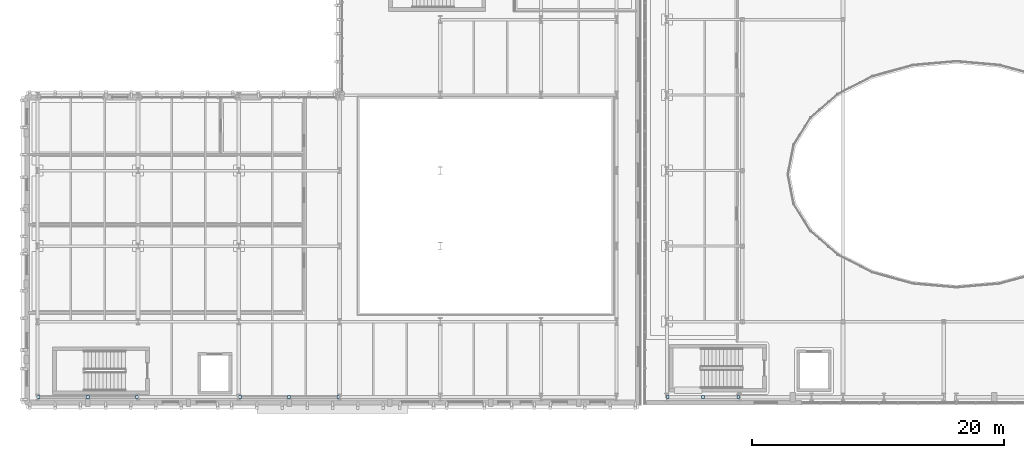
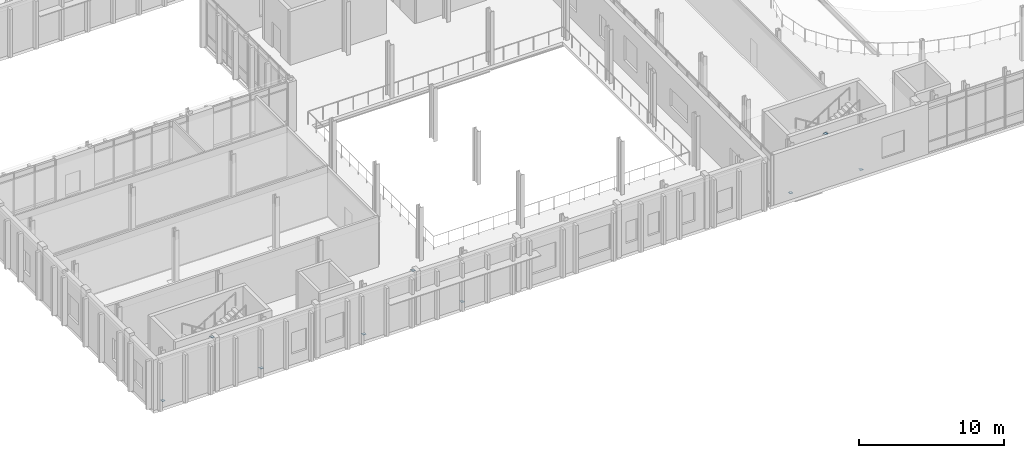
# One storey, part 60 of 100: 9 plates.
"""IFC4 building model written with IfcOpenShell, lengths in metres."""

import ifcopenshell
import ifcopenshell.guid

model = None  # the IFC model being written
_history = None  # IfcOwnerHistory: only IFC2X3 demands one
_inside = {}  # id of a spatial element -> (the spatial element, [elements in it])
_under = {}  # id of a project, library or spatial element -> (it, [spatial elements below it])
_declared = {}  # id of a project -> (the project, [libraries it declares])
_typed = {}  # id of a type object -> (the type object, [elements of that type])
_made_of = {}  # id of a material, layer set ... -> (it, [elements and type objects made of it])


def new_model(schema):
    """Start an empty IFC model of exactly this schema.

    Asked for "IFC4X3", IfcOpenShell would pick the latest addendum, in which some entities
    have other attributes; the version numbers below select the first issue.
    IFC2X3 requires an IfcOwnerHistory on every rooted entity: one is made here for all.
    """
    global model, _history
    if schema == "IFC4X3":
        model = ifcopenshell.file(schema_version=(4, 3, 0, 0))
    else:
        model = ifcopenshell.file(schema=schema)
    _inside.clear()
    _under.clear()
    _declared.clear()
    _typed.clear()
    _made_of.clear()
    _history = None
    if model.schema == "IFC2X3":
        org = make("IfcOrganization", Name="unknown")
        user = make(
            "IfcPersonAndOrganization",
            ThePerson=make("IfcPerson", FamilyName="unknown"),
            TheOrganization=org,
        )
        app = make(
            "IfcApplication",
            ApplicationDeveloper=org,
            Version="unknown",
            ApplicationFullName="unknown",
            ApplicationIdentifier="unknown",
        )
        _history = make(
            "IfcOwnerHistory",
            OwningUser=user,
            OwningApplication=app,
            ChangeAction="ADDED",
            CreationDate=0,
        )
    return model


def make(cls, **values):
    """One entity of the class cls with the attributes given. An attribute that is None is left unset."""
    return model.create_entity(
        cls, **{name: value for name, value in values.items() if value is not None}
    )


def rooted(cls, **values):
    """An entity with a GlobalId (a new one), such as an element, a storey or a relation."""
    return make(cls, GlobalId=ifcopenshell.guid.new(), OwnerHistory=_history, **values)


def si_unit(unit_type, name, prefix=None):
    """IfcSIUnit, for example si_unit("LENGTHUNIT", "METRE", prefix="MILLI")."""
    return make("IfcSIUnit", UnitType=unit_type, Prefix=prefix, Name=name)


def assignment(units):
    """IfcUnitAssignment: the units of a project."""
    return None if units is None else make("IfcUnitAssignment", Units=units)


def point(xyz):
    """IfcCartesianPoint."""
    return None if xyz is None else make("IfcCartesianPoint", Coordinates=xyz)


def direction(xyz):
    """IfcDirection."""
    return None if xyz is None else make("IfcDirection", DirectionRatios=xyz)


def frame(location, z_axis=None, x_axis=None):
    """IfcAxis2Placement3D, a coordinate frame: its origin and axes. An axis left out is left unset."""
    return make(
        "IfcAxis2Placement3D",
        Location=point(location),
        Axis=direction(z_axis),
        RefDirection=direction(x_axis),
    )


def frame_2d(location, x_axis=None):
    """IfcAxis2Placement2D, a coordinate frame in the plane: its origin and x axis."""
    return make(
        "IfcAxis2Placement2D", Location=point(location), RefDirection=direction(x_axis)
    )


def origin():
    """The frame at (0, 0, 0) with its axes left unset."""
    return frame((0.0, 0.0, 0.0))


def origin_2d():
    """The frame at (0, 0) in the plane with its x axis left unset."""
    return frame_2d((0.0, 0.0))


def place(relative_to, where):
    """IfcLocalPlacement: puts the frame where relative to a parent placement (None: the world)."""
    return make(
        "IfcLocalPlacement", PlacementRelTo=relative_to, RelativePlacement=where
    )


def context(
    kind, dimensions, precision=None, world=None, true_north=None, identifier=None
):
    """IfcGeometricRepresentationContext, for example the 3D "Model" context."""
    return make(
        "IfcGeometricRepresentationContext",
        ContextIdentifier=identifier,
        ContextType=kind,
        CoordinateSpaceDimension=dimensions,
        Precision=precision,
        WorldCoordinateSystem=world,
        TrueNorth=true_north,
    )


def subcontext(parent, identifier, kind, view, scale=None):
    """IfcGeometricRepresentationSubContext, for example "Body" below "Model"."""
    return make(
        "IfcGeometricRepresentationSubContext",
        ContextIdentifier=identifier,
        ContextType=kind,
        ParentContext=parent,
        TargetScale=scale,
        TargetView=view,
    )


def project(units=None, contexts=None):
    """IfcProject with its units and contexts."""
    return rooted(
        "IfcProject",
        Name="project",
        RepresentationContexts=contexts,
        UnitsInContext=assignment(units),
    )


def spatial(cls, under=None, at=None, **own):
    """A site, building, storey or space (cls), placed at a placement, below another one or the project."""
    s = rooted(cls, ObjectPlacement=at, **own)
    if under is not None:
        _under.setdefault(under.id(), (under, []))[1].append(s)
    return s


def profile(cls, at=None, kind="AREA", **sizes):
    """A parametric profile (cls). Its sizes go by their IFC names, for example OverallWidth=200.0."""
    return make(cls, ProfileType=kind, Position=at, **sizes)


def rectangle(**sizes):
    """IfcRectangleProfileDef."""
    return profile("IfcRectangleProfileDef", **sizes)


def extrude(swept, where, along, depth):
    """IfcExtrudedAreaSolid: the profile swept, set in the frame where, extruded along a direction by depth."""
    return make(
        "IfcExtrudedAreaSolid",
        SweptArea=swept,
        Position=where,
        ExtrudedDirection=direction(along),
        Depth=depth,
    )


def shape(context_of_items, identifier, shape_type, items):
    """IfcShapeRepresentation: the items that make up one representation, for example the "Body"."""
    return make(
        "IfcShapeRepresentation",
        ContextOfItems=context_of_items,
        RepresentationIdentifier=identifier,
        RepresentationType=shape_type,
        Items=items,
    )


def material(Name=None, Category=None):
    """IfcMaterial."""
    return make("IfcMaterial", Name=Name, Category=Category)


def layer(
    of_material, thickness, ventilated=None, Name=None, Category=None, Priority=None
):
    """IfcMaterialLayer: one layer of a wall or slab, of a material (None: an air gap)."""
    return make(
        "IfcMaterialLayer",
        Material=of_material,
        LayerThickness=thickness,
        IsVentilated=ventilated,
        Name=Name,
        Category=Category,
        Priority=Priority,
    )


def layer_set(layers, Name=None):
    """IfcMaterialLayerSet."""
    return make("IfcMaterialLayerSet", MaterialLayers=layers, LayerSetName=Name)


def made_of(thing, what):
    """Note that an element or type object is made of a material, layer set ...; save() writes the relation."""
    if what is not None:
        _made_of.setdefault(what.id(), (what, []))[1].append(thing)
    return thing


def type_object(cls, material=None, **own):
    """A type object (cls), such as IfcWallType, which elements share."""
    return made_of(rooted(cls, **own), material)


def element(
    cls,
    number,
    at=None,
    inside=None,
    cuts=None,
    type_object=None,
    material=None,
    context=None,
    identifier="Body",
    shape_type=None,
    held_by="IfcProductDefinitionShape",
    body=None,
    shapes=None,
    **own,
):
    """One element of the class cls, such as IfcWall. Its Tag is "e" and its number.

    at: its placement. inside: the storey or other place that contains it. cuts: it is an
    opening in that element (IfcRelVoidsElement). A single representation is given by context,
    identifier, shape_type and body (its items); several are given by shapes. held_by: the class
    of the entity that holds the representations. save() writes the other relations.
    """
    e = rooted(cls, Tag="e%d" % number, ObjectPlacement=at, **own)
    if body is not None:
        shapes = [shape(context, identifier, shape_type, body)]
    if shapes is not None:
        e.Representation = make(held_by, Representations=shapes)
    if inside is not None:
        _inside.setdefault(inside.id(), (inside, []))[1].append(e)
    if cuts is not None:
        rooted(
            "IfcRelVoidsElement", RelatingBuildingElement=cuts, RelatedOpeningElement=e
        )
    if type_object is not None:
        _typed.setdefault(type_object.id(), (type_object, []))[1].append(e)
    return made_of(e, material)


def aggregate(whole, parts):
    """IfcRelAggregates: a whole, such as a stair, and the parts it consists of."""
    return rooted("IfcRelAggregates", RelatingObject=whole, RelatedObjects=parts)


def save(model, path):
    """Write the relations noted so far, then the file.

    IfcRelAggregates (storeys below a building ...), IfcRelContainedInSpatialStructure (elements
    in a storey), IfcRelDefinesByType, IfcRelAssociatesMaterial and IfcRelDeclares: one each for
    every whole, place, type object, material and project.
    """
    for whole, parts in _under.values():
        aggregate(whole, parts)
    for where, things in _inside.values():
        rooted(
            "IfcRelContainedInSpatialStructure",
            RelatedElements=things,
            RelatingStructure=where,
        )
    for kind, things in _typed.values():
        rooted("IfcRelDefinesByType", RelatedObjects=things, RelatingType=kind)
    for what, things in _made_of.values():
        rooted("IfcRelAssociatesMaterial", RelatedObjects=things, RelatingMaterial=what)
    for by, libraries in _declared.values():
        rooted("IfcRelDeclares", RelatingContext=by, RelatedDefinitions=libraries)
    model.write(path)


model = new_model("IFC4")

# Units and contexts
model_context = context("Model", 3, precision=1e-05, world=origin(), true_north=direction((0.0, 1.0)))
body_context = subcontext(model_context, "Body", "Model", "MODEL_VIEW")
ifc_project = project(units=[si_unit("LENGTHUNIT", "METRE"), si_unit("AREAUNIT", "SQUARE_METRE"), si_unit("VOLUMEUNIT", "CUBIC_METRE"), si_unit("PLANEANGLEUNIT", "RADIAN"), si_unit("MASSUNIT", "GRAM", prefix="KILO")], contexts=[model_context])

# Site, building, storey
site_placement = place(None, origin())
site = spatial("IfcSite", under=ifc_project, at=site_placement, CompositionType="ELEMENT")
building_placement = place(site_placement, origin())
building = spatial("IfcBuilding", under=site, at=building_placement, Name="Cymarion Research Institute", CompositionType="ELEMENT")
storey_placement = place(building_placement, frame((0.0, 0.0, 4.800048828125)))
storey = spatial("IfcBuildingStorey", under=building, at=storey_placement, Name="L01", CompositionType="ELEMENT", Elevation=4.800048828125)

# Plates
ifc_material = material(Name="Steel S355", Category="steel")
ifc_layer = layer(ifc_material, 0.011962890625)
ifc_layer_set = layer_set([ifc_layer], Name="Steel S355")
plate_type = type_object("IfcPlateType", Name="STEEL NODE GUSSET PLATE CP02 12MM", PredefinedType="USERDEFINED", material=ifc_layer_set)
for number, where, z_axis, x_axis, name in (
    (1, (59.47509765625, 5.5, 4.10400390625), (0.0, 0.0, 1.0), (1.0, 0.0, 0.0), "L01 V2 chevron apex gusset plate"),
    (2, (56.670166015625, 5.5, 0.11376953125), (0.0, 0.0, 1.0), (1.0, 0.0, 0.0), "L01 V2 chevron base gusset plate #1"),
    (3, (62.27978515625, 5.5, 0.11376953125), (0.0, 0.0, 1.0), (1.0, 0.0, 0.0), "L01 V2 chevron base gusset plate #2"),
    (4, (10.60009765625, 5.5, 4.10400390625), (0.0, 0.0, 1.0), (1.0, 0.0, 0.0), "L01 V3 chevron apex gusset plate"),
    (5, (6.68505859375, 5.5, 0.11376953125), (0.0, 0.0, 1.0), (1.0, 0.0, 0.0), "L01 V3 chevron base gusset plate #1"),
    (6, (14.514892578125, 5.5, 0.11376953125), (0.0, 0.0, 1.0), (1.0, 0.0, 0.0), "L01 V3 chevron base gusset plate #2"),
    (7, (26.60009765625, 5.5, 4.10400390625), (0.0, 0.0, 1.0), (1.0, 0.0, 0.0), "L01 V3 chevron apex gusset plate"),
    (8, (22.68505859375, 5.5, 0.11376953125), (0.0, 0.0, 1.0), (1.0, 0.0, 0.0), "L01 V3 chevron base gusset plate #1"),
    (9, (30.514892578125, 5.5, 0.11376953125), (0.0, 0.0, 1.0), (1.0, 0.0, 0.0), "L01 V3 chevron base gusset plate #2"),
):
    element("IfcPlate", number, at=place(storey_placement, frame(where, z_axis=z_axis, x_axis=x_axis)), inside=storey, type_object=plate_type, Name=name, ObjectType="GUSSET PLATE", PredefinedType="USERDEFINED", context=body_context, shape_type="SweptSolid", body=[
        extrude(rectangle(XDim=0.239990234375, YDim=0.239990234375, at=origin_2d()), origin(), (0.0, 0.0, 1.0), 0.011962890625),
    ])

save(model, "model.ifc")
